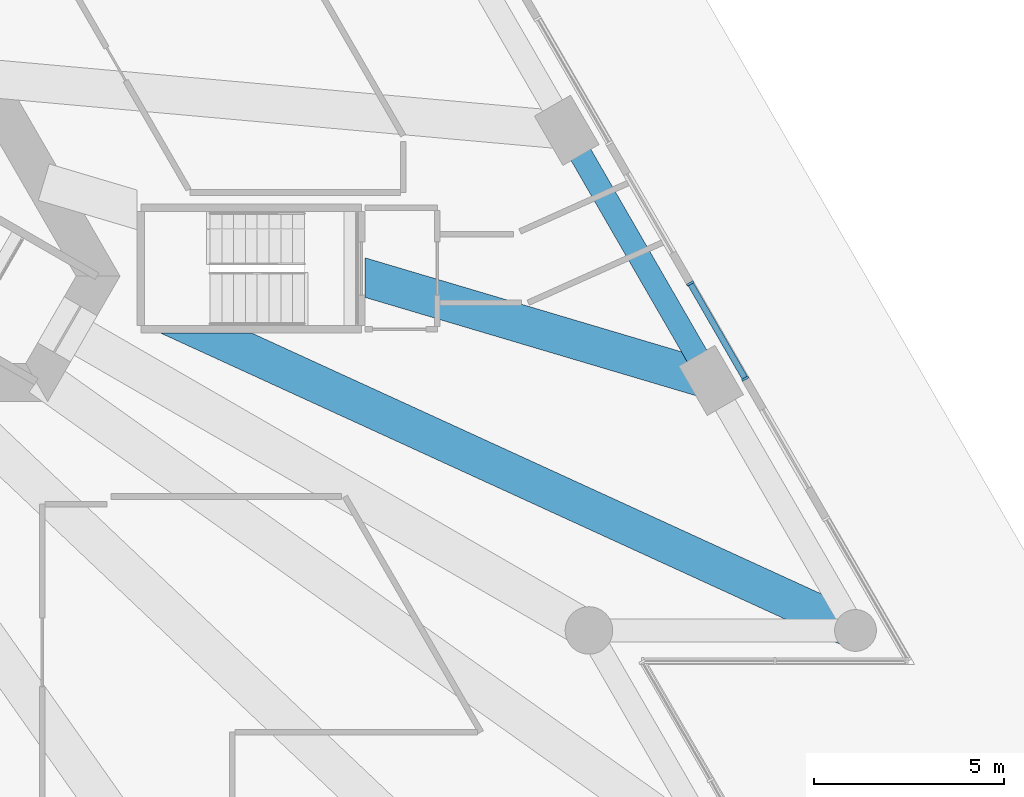
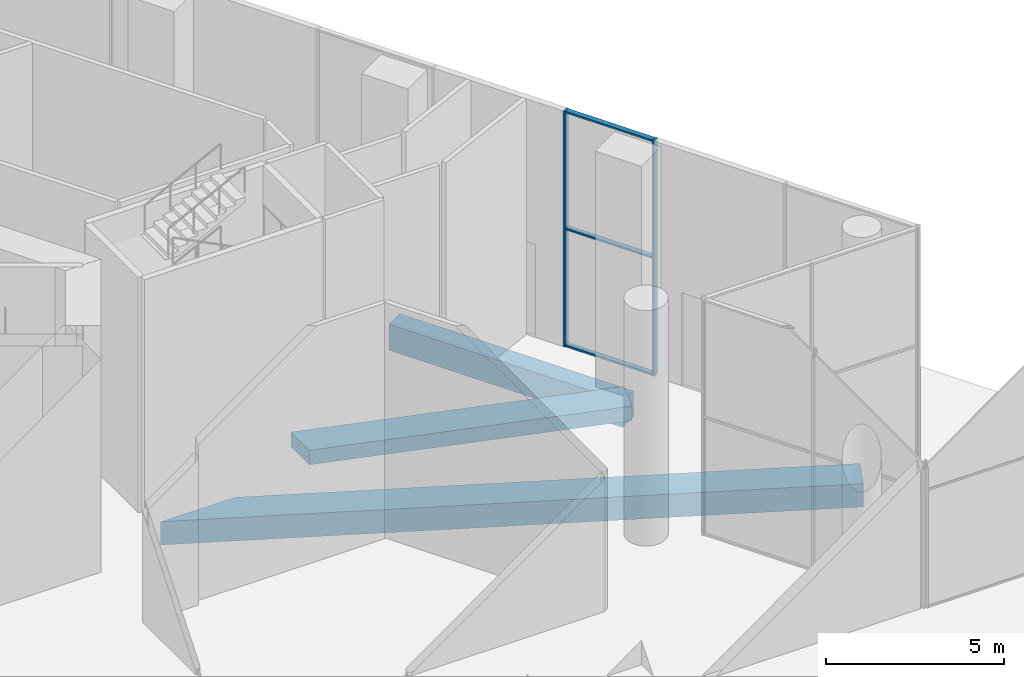
# One storey, part 10 of 41: 5 members, 3 beams, 1 element without a shape of its own.
"""IFC4 building model written with IfcOpenShell, lengths in metres."""

from ifc_helpers import new_model, si_unit, direction, frame, origin, origin_2d, place, context, subcontext, project, spatial, rectangle, extrude, clip, halfspace, material, layer, layer_set, material_profile, profile_set, type_object, element, aggregate, save


model = new_model("IFC4")

# Units and contexts
model_context = context("Model", 3, precision=1e-05, world=origin(), true_north=direction((0.0, 1.0)))
body_context = subcontext(model_context, "Body", "Model", "MODEL_VIEW")
ifc_project = project(units=[si_unit("LENGTHUNIT", "METRE"), si_unit("AREAUNIT", "SQUARE_METRE"), si_unit("VOLUMEUNIT", "CUBIC_METRE"), si_unit("PLANEANGLEUNIT", "RADIAN"), si_unit("MASSUNIT", "GRAM", prefix="KILO")], contexts=[model_context])

# Site, building, storey
site_placement = place(None, origin())
site = spatial("IfcSite", under=ifc_project, at=site_placement, CompositionType="ELEMENT")
building_placement = place(site_placement, origin())
building = spatial("IfcBuilding", under=site, at=building_placement, Name="Triada Interchange Tower", CompositionType="ELEMENT")
storey_placement = place(building_placement, origin())
storey = spatial("IfcBuildingStorey", under=building, at=storey_placement, Name="L00", CompositionType="ELEMENT", Elevation=0.0)

# Curtain wall, members
ifc_material_1 = material(Name="Aluminium framed glazing", Category="aluminium")
ifc_layer = layer(ifc_material_1, 0.199951171875)
ifc_layer_set = layer_set([ifc_layer], Name="Curtain wall Concourse glazed screen")
curtain_wall_type = type_object("IfcCurtainWallType", Name="Curtain wall Concourse glazed screen", PredefinedType="NOTDEFINED", material=ifc_layer_set)
curtain_wall_placement = place(storey_placement, origin())
curtain_wall = element("IfcCurtainWall", 1, at=curtain_wall_placement, inside=storey, type_object=curtain_wall_type, Name="Concourse glazed screen CW020 L00", PredefinedType="NOTDEFINED")
ifc_material_2 = material(Name="Aluminium", Category="aluminium")
ifc_material_profile_1 = material_profile(ifc_material_2, rectangle(XDim=0.199951171875, YDim=0.06005859375, at=origin_2d()), Name="Aluminium mullion")
ifc_profile_set_1 = profile_set([ifc_material_profile_1], Name="Aluminium")
member_type_1 = type_object("IfcMemberType", Name="Mullion Concourse glazed screen 200x60", PredefinedType="MULLION", material=ifc_profile_set_1)
member_1_placement = place(storey_placement, frame((31.0029296875, -8.89794921875, 0.0), z_axis=(0.0, 0.0, 1.0), x_axis=(-0.866005171228, -0.500035042179, 0.0)))
member_1 = element("IfcMember", 2, at=member_1_placement, type_object=member_type_1, Name="CW020 mullion 1", PredefinedType="MULLION", context=body_context, shape_type="SweptSolid", body=[
    extrude(rectangle(XDim=0.199951171875, YDim=0.06005859375, at=origin_2d()), origin(), (0.0, 0.0, 1.0), 8.10009765625),
])
member_2_placement = place(storey_placement, frame((29.555908203125, -6.39208984375, 0.0), z_axis=(0.0, 0.0, 1.0), x_axis=(-0.866005171228, -0.500035042179, 0.0)))
member_2 = element("IfcMember", 3, at=member_2_placement, type_object=member_type_1, Name="CW020 mullion 2", PredefinedType="MULLION", context=body_context, shape_type="SweptSolid", body=[
    extrude(rectangle(XDim=0.199951171875, YDim=0.06005859375, at=origin_2d()), origin(), (0.0, 0.0, 1.0), 8.10009765625),
])

# Beams
ifc_material_3 = material(Name="Concrete C50/60", Category="concrete")
ifc_material_profile_2 = material_profile(ifc_material_3, rectangle(XDim=1.0, YDim=0.5, at=origin_2d()), Name="RC 1000x500")
ifc_profile_set_2 = profile_set([ifc_material_profile_2], Name="Concrete C50/60")
beam_type_1 = type_object("IfcBeamType", Name="Radial band beam P RC 1000x500", PredefinedType="BEAM", material=ifc_profile_set_2)
beam_1_placement = place(storey_placement, frame((30.10498046875, -8.944091796875, -0.64990234375), z_axis=(-0.958593857604, 0.284776783049, 0.0), x_axis=(-0.284776783049, -0.958593857604, 0.0)))
element("IfcBeam", 4, at=beam_1_placement, inside=storey, type_object=beam_type_1, Name="Radial band beam BP22A L00", PredefinedType="BEAM", context=body_context, shape_type="Clipping", body=[
    clip(extrude(rectangle(XDim=1.0, YDim=0.5, at=origin_2d()), origin(), (0.0, 0.0, 1.0), 10.998291015625), halfspace(frame((-1.85888671875, 0.64990234375, 10.050537109375), z_axis=(0.284776783049, 0.0, 0.958593857604), x_axis=(0.0, -1.0, 0.0)), False)),
])
ifc_material_profile_3 = material_profile(ifc_material_3, rectangle(XDim=1.0, YDim=0.800048828125, at=origin_2d()), Name="RC 1000x800")
ifc_profile_set_3 = profile_set([ifc_material_profile_3], Name="Concrete C50/60")
beam_type_2 = type_object("IfcBeamType", Name="Radial band beam P RC 1000x800", PredefinedType="BEAM", material=ifc_profile_set_3)
beam_2_placement = place(storey_placement, frame((33.905029296875, -15.52490234375, -0.800048828125), z_axis=(-0.909200707798, 0.41635810661, 0.0), x_axis=(-0.41635810661, -0.909200707798, 0.0)))
element("IfcBeam", 5, at=beam_2_placement, inside=storey, type_object=beam_type_2, Name="Radial band beam BP21A L00", PredefinedType="BEAM", context=body_context, shape_type="Clipping", body=[
    clip(extrude(rectangle(XDim=1.0, YDim=0.800048828125, at=origin_2d()), origin(), (0.0, 0.0, 1.0), 20.294921875), halfspace(frame((-1.741455078125, 0.800048828125, 14.9912109375), z_axis=(-0.909200707798, 0.0, 0.41635810661), x_axis=(0.0, 1.0, 0.0)), False)),
])
ifc_material_profile_4 = material_profile(ifc_material_3, rectangle(XDim=0.60009765625, YDim=0.89990234375, at=origin_2d()), Name="RC 600x900")
ifc_profile_set_4 = profile_set([ifc_material_profile_4], Name="Concrete C50/60")
beam_type_3 = type_object("IfcBeamType", Name="Spandrel beam P RC 600x900", PredefinedType="BEAM", material=ifc_profile_set_4)
beam_3_placement = place(storey_placement, frame((30.10498046875, -8.944091796875, -0.85009765625), z_axis=(-0.499950508799, 0.866053975657, 0.0), x_axis=(-0.866053975657, -0.499950508799, 0.0)))
element("IfcBeam", 6, at=beam_3_placement, inside=storey, type_object=beam_type_3, Name="Spandrel beam EP22 L00", PredefinedType="BEAM", context=body_context, shape_type="SweptSolid", body=[
    extrude(rectangle(XDim=0.60009765625, YDim=0.89990234375, at=origin_2d()), origin(), (0.0, 0.0, 1.0), 7.598876953125),
])

# Member
ifc_material_profile_5 = material_profile(ifc_material_2, rectangle(XDim=0.159912109375, YDim=0.06005859375, at=origin_2d()), Name="Aluminium transom")
ifc_profile_set_5 = profile_set([ifc_material_profile_5], Name="Aluminium")
member_type_2 = type_object("IfcMemberType", Name="Transom Concourse glazed screen 160x60", PredefinedType="USERDEFINED", material=ifc_profile_set_5)
member_3_placement = place(storey_placement, frame((30.988037109375, -8.8720703125, 0.030029296875), z_axis=(-0.500030697692, 0.866007679738, 0.0), x_axis=(-0.866007679738, -0.500030697692, 0.0)))
member_3 = element("IfcMember", 7, at=member_3_placement, type_object=member_type_2, Name="CW020 transom 1.1", ObjectType="TRANSOM", PredefinedType="USERDEFINED", context=body_context, shape_type="SweptSolid", body=[
    extrude(rectangle(XDim=0.159912109375, YDim=0.06005859375, at=origin_2d()), origin(), (0.0, 0.0, 1.0), 2.833740234375),
])

member_4_placement = place(storey_placement, frame((30.988037109375, -8.8720703125, 4.050048828125), z_axis=(-0.500030697692, 0.866007679738, 0.0), x_axis=(-0.866007679738, -0.500030697692, 0.0)))
member_4 = element("IfcMember", 8, at=member_4_placement, type_object=member_type_2, Name="CW020 transom 1.2", ObjectType="TRANSOM", PredefinedType="USERDEFINED", context=body_context, shape_type="SweptSolid", body=[
    extrude(rectangle(XDim=0.159912109375, YDim=0.06005859375, at=origin_2d()), origin(), (0.0, 0.0, 1.0), 2.833740234375),
])

member_5_placement = place(storey_placement, frame((30.988037109375, -8.8720703125, 8.070068359375), z_axis=(-0.500030697692, 0.866007679738, 0.0), x_axis=(-0.866007679738, -0.500030697692, 0.0)))
member_5 = element("IfcMember", 9, at=member_5_placement, type_object=member_type_2, Name="CW020 transom 1.3", ObjectType="TRANSOM", PredefinedType="USERDEFINED", context=body_context, shape_type="SweptSolid", body=[
    extrude(rectangle(XDim=0.159912109375, YDim=0.06005859375, at=origin_2d()), origin(), (0.0, 0.0, 1.0), 2.833740234375),
])

aggregate(curtain_wall, [member_1, member_2, member_3, member_4, member_5])

save(model, "model.ifc")
